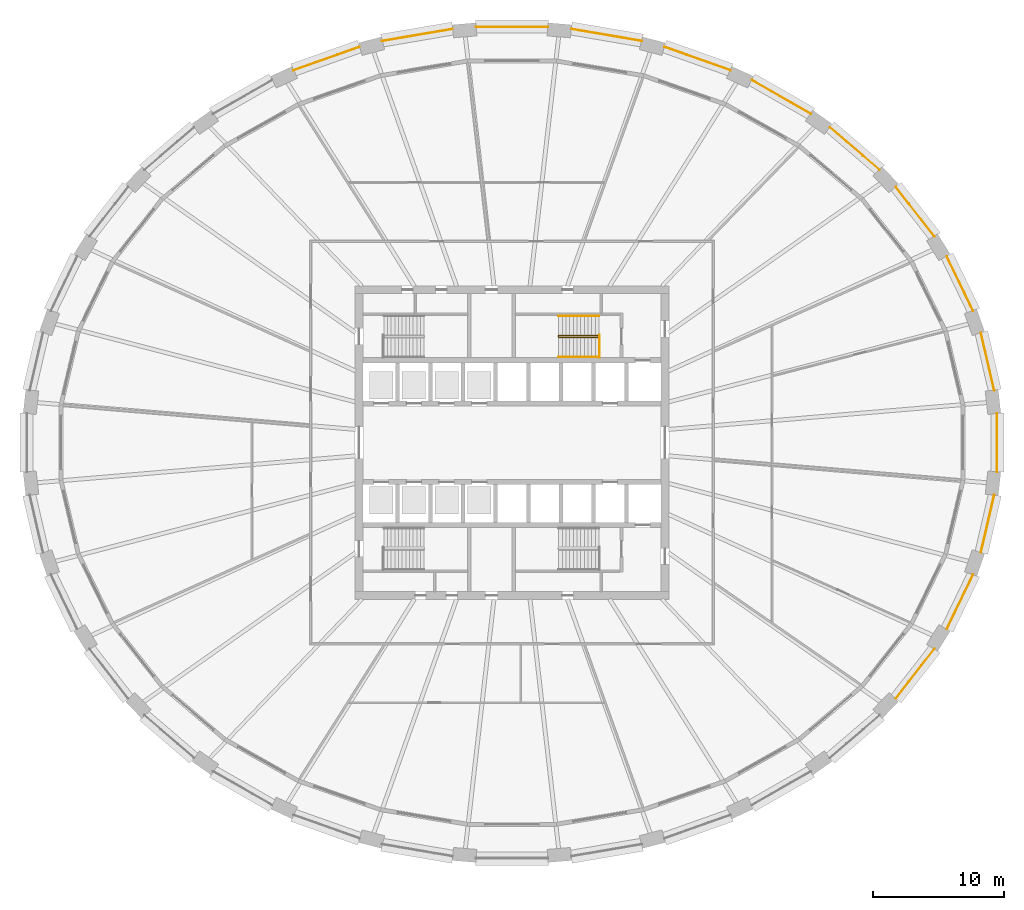
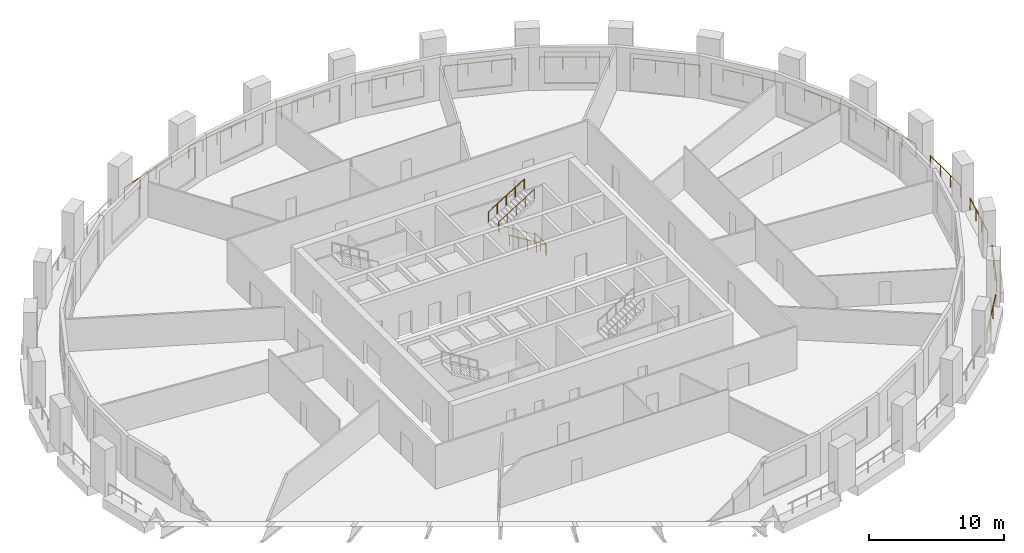
# One storey, part 9 of 10: 18 railings.
"""IFC4 building model written with IfcOpenShell, lengths in metres."""

import ifcopenshell
import ifcopenshell.guid

model = None  # the IFC model being written
_history = None  # IfcOwnerHistory: only IFC2X3 demands one
_inside = {}  # id of a spatial element -> (the spatial element, [elements in it])
_under = {}  # id of a project, library or spatial element -> (it, [spatial elements below it])
_declared = {}  # id of a project -> (the project, [libraries it declares])
_typed = {}  # id of a type object -> (the type object, [elements of that type])
_made_of = {}  # id of a material, layer set ... -> (it, [elements and type objects made of it])


def new_model(schema):
    """Start an empty IFC model of exactly this schema.

    Asked for "IFC4X3", IfcOpenShell would pick the latest addendum, in which some entities
    have other attributes; the version numbers below select the first issue.
    IFC2X3 requires an IfcOwnerHistory on every rooted entity: one is made here for all.
    """
    global model, _history
    if schema == "IFC4X3":
        model = ifcopenshell.file(schema_version=(4, 3, 0, 0))
    else:
        model = ifcopenshell.file(schema=schema)
    _inside.clear()
    _under.clear()
    _declared.clear()
    _typed.clear()
    _made_of.clear()
    _history = None
    if model.schema == "IFC2X3":
        org = make("IfcOrganization", Name="unknown")
        user = make(
            "IfcPersonAndOrganization",
            ThePerson=make("IfcPerson", FamilyName="unknown"),
            TheOrganization=org,
        )
        app = make(
            "IfcApplication",
            ApplicationDeveloper=org,
            Version="unknown",
            ApplicationFullName="unknown",
            ApplicationIdentifier="unknown",
        )
        _history = make(
            "IfcOwnerHistory",
            OwningUser=user,
            OwningApplication=app,
            ChangeAction="ADDED",
            CreationDate=0,
        )
    return model


def make(cls, **values):
    """One entity of the class cls with the attributes given. An attribute that is None is left unset."""
    return model.create_entity(
        cls, **{name: value for name, value in values.items() if value is not None}
    )


def rooted(cls, **values):
    """An entity with a GlobalId (a new one), such as an element, a storey or a relation."""
    return make(cls, GlobalId=ifcopenshell.guid.new(), OwnerHistory=_history, **values)


def si_unit(unit_type, name, prefix=None):
    """IfcSIUnit, for example si_unit("LENGTHUNIT", "METRE", prefix="MILLI")."""
    return make("IfcSIUnit", UnitType=unit_type, Prefix=prefix, Name=name)


def assignment(units):
    """IfcUnitAssignment: the units of a project."""
    return None if units is None else make("IfcUnitAssignment", Units=units)


def point(xyz):
    """IfcCartesianPoint."""
    return None if xyz is None else make("IfcCartesianPoint", Coordinates=xyz)


def direction(xyz):
    """IfcDirection."""
    return None if xyz is None else make("IfcDirection", DirectionRatios=xyz)


def frame(location, z_axis=None, x_axis=None):
    """IfcAxis2Placement3D, a coordinate frame: its origin and axes. An axis left out is left unset."""
    return make(
        "IfcAxis2Placement3D",
        Location=point(location),
        Axis=direction(z_axis),
        RefDirection=direction(x_axis),
    )


def frame_2d(location, x_axis=None):
    """IfcAxis2Placement2D, a coordinate frame in the plane: its origin and x axis."""
    return make(
        "IfcAxis2Placement2D", Location=point(location), RefDirection=direction(x_axis)
    )


def origin():
    """The frame at (0, 0, 0) with its axes left unset."""
    return frame((0.0, 0.0, 0.0))


def origin_2d():
    """The frame at (0, 0) in the plane with its x axis left unset."""
    return frame_2d((0.0, 0.0))


def place(relative_to, where):
    """IfcLocalPlacement: puts the frame where relative to a parent placement (None: the world)."""
    return make(
        "IfcLocalPlacement", PlacementRelTo=relative_to, RelativePlacement=where
    )


def context(
    kind, dimensions, precision=None, world=None, true_north=None, identifier=None
):
    """IfcGeometricRepresentationContext, for example the 3D "Model" context."""
    return make(
        "IfcGeometricRepresentationContext",
        ContextIdentifier=identifier,
        ContextType=kind,
        CoordinateSpaceDimension=dimensions,
        Precision=precision,
        WorldCoordinateSystem=world,
        TrueNorth=true_north,
    )


def subcontext(parent, identifier, kind, view, scale=None):
    """IfcGeometricRepresentationSubContext, for example "Body" below "Model"."""
    return make(
        "IfcGeometricRepresentationSubContext",
        ContextIdentifier=identifier,
        ContextType=kind,
        ParentContext=parent,
        TargetScale=scale,
        TargetView=view,
    )


def project(units=None, contexts=None):
    """IfcProject with its units and contexts."""
    return rooted(
        "IfcProject",
        Name="project",
        RepresentationContexts=contexts,
        UnitsInContext=assignment(units),
    )


def spatial(cls, under=None, at=None, **own):
    """A site, building, storey or space (cls), placed at a placement, below another one or the project."""
    s = rooted(cls, ObjectPlacement=at, **own)
    if under is not None:
        _under.setdefault(under.id(), (under, []))[1].append(s)
    return s


def profile(cls, at=None, kind="AREA", **sizes):
    """A parametric profile (cls). Its sizes go by their IFC names, for example OverallWidth=200.0."""
    return make(cls, ProfileType=kind, Position=at, **sizes)


def circle(**sizes):
    """IfcCircleProfileDef."""
    return profile("IfcCircleProfileDef", **sizes)


def extrude(swept, where, along, depth):
    """IfcExtrudedAreaSolid: the profile swept, set in the frame where, extruded along a direction by depth."""
    return make(
        "IfcExtrudedAreaSolid",
        SweptArea=swept,
        Position=where,
        ExtrudedDirection=direction(along),
        Depth=depth,
    )


def shape(context_of_items, identifier, shape_type, items):
    """IfcShapeRepresentation: the items that make up one representation, for example the "Body"."""
    return make(
        "IfcShapeRepresentation",
        ContextOfItems=context_of_items,
        RepresentationIdentifier=identifier,
        RepresentationType=shape_type,
        Items=items,
    )


def material(Name=None, Category=None):
    """IfcMaterial."""
    return make("IfcMaterial", Name=Name, Category=Category)


def made_of(thing, what):
    """Note that an element or type object is made of a material, layer set ...; save() writes the relation."""
    if what is not None:
        _made_of.setdefault(what.id(), (what, []))[1].append(thing)
    return thing


def type_object(cls, material=None, **own):
    """A type object (cls), such as IfcWallType, which elements share."""
    return made_of(rooted(cls, **own), material)


def element(
    cls,
    number,
    at=None,
    inside=None,
    cuts=None,
    type_object=None,
    material=None,
    context=None,
    identifier="Body",
    shape_type=None,
    held_by="IfcProductDefinitionShape",
    body=None,
    shapes=None,
    **own,
):
    """One element of the class cls, such as IfcWall. Its Tag is "e" and its number.

    at: its placement. inside: the storey or other place that contains it. cuts: it is an
    opening in that element (IfcRelVoidsElement). A single representation is given by context,
    identifier, shape_type and body (its items); several are given by shapes. held_by: the class
    of the entity that holds the representations. save() writes the other relations.
    """
    e = rooted(cls, Tag="e%d" % number, ObjectPlacement=at, **own)
    if body is not None:
        shapes = [shape(context, identifier, shape_type, body)]
    if shapes is not None:
        e.Representation = make(held_by, Representations=shapes)
    if inside is not None:
        _inside.setdefault(inside.id(), (inside, []))[1].append(e)
    if cuts is not None:
        rooted(
            "IfcRelVoidsElement", RelatingBuildingElement=cuts, RelatedOpeningElement=e
        )
    if type_object is not None:
        _typed.setdefault(type_object.id(), (type_object, []))[1].append(e)
    return made_of(e, material)


def aggregate(whole, parts):
    """IfcRelAggregates: a whole, such as a stair, and the parts it consists of."""
    return rooted("IfcRelAggregates", RelatingObject=whole, RelatedObjects=parts)


def save(model, path):
    """Write the relations noted so far, then the file.

    IfcRelAggregates (storeys below a building ...), IfcRelContainedInSpatialStructure (elements
    in a storey), IfcRelDefinesByType, IfcRelAssociatesMaterial and IfcRelDeclares: one each for
    every whole, place, type object, material and project.
    """
    for whole, parts in _under.values():
        aggregate(whole, parts)
    for where, things in _inside.values():
        rooted(
            "IfcRelContainedInSpatialStructure",
            RelatedElements=things,
            RelatingStructure=where,
        )
    for kind, things in _typed.values():
        rooted("IfcRelDefinesByType", RelatedObjects=things, RelatingType=kind)
    for what, things in _made_of.values():
        rooted("IfcRelAssociatesMaterial", RelatedObjects=things, RelatingMaterial=what)
    for by, libraries in _declared.values():
        rooted("IfcRelDeclares", RelatingContext=by, RelatedDefinitions=libraries)
    model.write(path)


model = new_model("IFC4")

# Units and contexts
model_context = context("Model", 3, precision=1e-05, world=origin(), true_north=direction((0.0, 1.0)))
body_context = subcontext(model_context, "Body", "Model", "MODEL_VIEW")
ifc_project = project(units=[si_unit("LENGTHUNIT", "METRE"), si_unit("AREAUNIT", "SQUARE_METRE"), si_unit("VOLUMEUNIT", "CUBIC_METRE"), si_unit("PLANEANGLEUNIT", "RADIAN"), si_unit("MASSUNIT", "GRAM", prefix="KILO")], contexts=[model_context])

# Site, building, storey
site_placement = place(None, origin())
site = spatial("IfcSite", under=ifc_project, at=site_placement, CompositionType="ELEMENT")
building_placement = place(site_placement, origin())
building = spatial("IfcBuilding", under=site, at=building_placement, Name="Halqa Exchange Tower", CompositionType="ELEMENT")
storey_placement = place(building_placement, frame((0.0, 0.0, 57.10009765625)))
storey = spatial("IfcBuildingStorey", under=building, at=storey_placement, Name="L12", CompositionType="ELEMENT", Elevation=57.10009765625)

# Railings
ifc_material = material(Name="Stainless steel", Category="steel")
railing_type_1 = type_object("IfcRailingType", Name="Guard 1100 stainless steel", PredefinedType="GUARDRAIL", material=ifc_material)
railing_1_placement = place(storey_placement, frame((36.88818359375, 4.008056640625, 0.0)))
element("IfcRailing", 1, at=railing_1_placement, inside=storey, type_object=railing_type_1, Name="Loggia guard 1", PredefinedType="GUARDRAIL", context=body_context, shape_type="SweptSolid", body=[
    extrude(circle(Radius=0.02392578125, at=origin_2d()), frame((0.0, 0.0, 1.076171875), z_axis=(-0.226066355165, 0.974111904795, 0.0), x_axis=(-0.974111904795, -0.226066355165, 0.0)), (0.0, 0.0, 1.0), 4.505615234375),
    extrude(circle(Radius=0.02099609375, at=origin_2d()), origin(), (0.0, 0.0, 1.0), 1.052001953125),
    extrude(circle(Radius=0.02099609375, at=origin_2d()), frame((-0.339599609375, 1.462890625, 0.0)), (0.0, 0.0, 1.0), 1.052001953125),
    extrude(circle(Radius=0.02099609375, at=origin_2d()), frame((-0.678955078125, 2.926025390625, 0.0)), (0.0, 0.0, 1.0), 1.052001953125),
    extrude(circle(Radius=0.02099609375, at=origin_2d()), frame((-1.0185546875, 4.388916015625, 0.0)), (0.0, 0.0, 1.0), 1.052001953125),
])
railing_2_placement = place(storey_placement, frame((35.2744140625, 10.083984375, 0.0)))
element("IfcRailing", 2, at=railing_2_placement, inside=storey, type_object=railing_type_1, Name="Loggia guard 2", PredefinedType="GUARDRAIL", context=body_context, shape_type="SweptSolid", body=[
    extrude(circle(Radius=0.02392578125, at=origin_2d()), frame((0.0, 0.0, 1.076171875), z_axis=(-0.435076679412, 0.900393404591, 0.0), x_axis=(-0.900393404591, -0.435076679412, 0.0)), (0.0, 0.0, 1.0), 4.6259765625),
    extrude(circle(Radius=0.02099609375, at=origin_2d()), origin(), (0.0, 0.0, 1.0), 1.052001953125),
    extrude(circle(Radius=0.02099609375, at=origin_2d()), frame((-0.6708984375, 1.388427734375, 0.0)), (0.0, 0.0, 1.0), 1.052001953125),
    extrude(circle(Radius=0.02099609375, at=origin_2d()), frame((-1.341796875, 2.77685546875, 0.0)), (0.0, 0.0, 1.0), 1.052001953125),
    extrude(circle(Radius=0.02099609375, at=origin_2d()), frame((-2.0126953125, 4.165283203125, 0.0)), (0.0, 0.0, 1.0), 1.052001953125),
])
railing_3_placement = place(storey_placement, frame((32.31689453125, 15.769287109375, 0.0)))
element("IfcRailing", 3, at=railing_3_placement, inside=storey, type_object=railing_type_1, Name="Loggia guard 3", PredefinedType="GUARDRAIL", context=body_context, shape_type="SweptSolid", body=[
    extrude(circle(Radius=0.02392578125, at=origin_2d()), frame((0.0, 0.0, 1.076171875), z_axis=(-0.61481305672, 0.788672875968, 0.0), x_axis=(-0.788672875968, -0.61481305672, 0.0)), (0.0, 0.0, 1.0), 4.802490234375),
    extrude(circle(Radius=0.02099609375, at=origin_2d()), origin(), (0.0, 0.0, 1.0), 1.052001953125),
    extrude(circle(Radius=0.02099609375, at=origin_2d()), frame((-0.984130859375, 1.262451171875, 0.0)), (0.0, 0.0, 1.0), 1.052001953125),
    extrude(circle(Radius=0.02099609375, at=origin_2d()), frame((-1.968505859375, 2.525146484375, 0.0)), (0.0, 0.0, 1.0), 1.052001953125),
    extrude(circle(Radius=0.02099609375, at=origin_2d()), frame((-2.95263671875, 3.78759765625, 0.0)), (0.0, 0.0, 1.0), 1.052001953125),
])
railing_4_placement = place(storey_placement, frame((28.12744140625, 20.852294921875, 0.0)))
element("IfcRailing", 4, at=railing_4_placement, inside=storey, type_object=railing_type_1, Name="Loggia guard 4", PredefinedType="GUARDRAIL", context=body_context, shape_type="SweptSolid", body=[
    extrude(circle(Radius=0.02392578125, at=origin_2d()), frame((0.0, 0.0, 1.076171875), z_axis=(-0.759225609307, 0.650827530281, 0.0), x_axis=(-0.650827530281, -0.759225609307, 0.0)), (0.0, 0.0, 1.0), 5.004638671875),
    extrude(circle(Radius=0.02099609375, at=origin_2d()), origin(), (0.0, 0.0, 1.0), 1.052001953125),
    extrude(circle(Radius=0.02099609375, at=origin_2d()), frame((-1.2666015625, 1.085693359375, 0.0)), (0.0, 0.0, 1.0), 1.052001953125),
    extrude(circle(Radius=0.02099609375, at=origin_2d()), frame((-2.532958984375, 2.17138671875, 0.0)), (0.0, 0.0, 1.0), 1.052001953125),
    extrude(circle(Radius=0.02099609375, at=origin_2d()), frame((-3.799560546875, 3.257080078125, 0.0)), (0.0, 0.0, 1.0), 1.052001953125),
])
railing_5_placement = place(storey_placement, frame((22.863525390625, 25.142333984375, 0.0)))
element("IfcRailing", 5, at=railing_5_placement, inside=storey, type_object=railing_type_1, Name="Loggia guard 5", PredefinedType="GUARDRAIL", context=body_context, shape_type="SweptSolid", body=[
    extrude(circle(Radius=0.02392578125, at=origin_2d()), frame((0.0, 0.0, 1.076171875), z_axis=(-0.867766101648, 0.496972829068, 0.0), x_axis=(-0.496972829068, -0.867766101648, 0.0)), (0.0, 0.0, 1.0), 5.200927734375),
    extrude(circle(Radius=0.02099609375, at=origin_2d()), origin(), (0.0, 0.0, 1.0), 1.052001953125),
    extrude(circle(Radius=0.02099609375, at=origin_2d()), frame((-1.50439453125, 0.861572265625, 0.0)), (0.0, 0.0, 1.0), 1.052001953125),
    extrude(circle(Radius=0.02099609375, at=origin_2d()), frame((-3.0087890625, 1.72314453125, 0.0)), (0.0, 0.0, 1.0), 1.052001953125),
    extrude(circle(Radius=0.02099609375, at=origin_2d()), frame((-4.51318359375, 2.584716796875, 0.0)), (0.0, 0.0, 1.0), 1.052001953125),
])
railing_6_placement = place(storey_placement, frame((16.72119140625, 28.4755859375, 0.0)))
element("IfcRailing", 6, at=railing_6_placement, inside=storey, type_object=railing_type_1, Name="Loggia guard 6", PredefinedType="GUARDRAIL", context=body_context, shape_type="SweptSolid", body=[
    extrude(circle(Radius=0.02392578125, at=origin_2d()), frame((0.0, 0.0, 1.076171875), z_axis=(-0.94237775189, 0.334550702799, 0.0), x_axis=(-0.334550702799, -0.94237775189, 0.0)), (0.0, 0.0, 1.0), 5.363037109375),
    extrude(circle(Radius=0.02099609375, at=origin_2d()), origin(), (0.0, 0.0, 1.0), 1.052001953125),
    extrude(circle(Radius=0.02099609375, at=origin_2d()), frame((-1.6845703125, 0.59814453125, 0.0)), (0.0, 0.0, 1.0), 1.052001953125),
    extrude(circle(Radius=0.02099609375, at=origin_2d()), frame((-3.369384765625, 1.196044921875, 0.0)), (0.0, 0.0, 1.0), 1.052001953125),
    extrude(circle(Radius=0.02099609375, at=origin_2d()), frame((-5.053955078125, 1.794189453125, 0.0)), (0.0, 0.0, 1.0), 1.052001953125),
])
railing_7_placement = place(storey_placement, frame((9.931884765625, 30.72216796875, 0.0)))
element("IfcRailing", 7, at=railing_7_placement, inside=storey, type_object=railing_type_1, Name="Loggia guard 7", PredefinedType="GUARDRAIL", context=body_context, shape_type="SweptSolid", body=[
    extrude(circle(Radius=0.02392578125, at=origin_2d()), frame((0.0, 0.0, 1.076171875), z_axis=(-0.985769278309, 0.168103926015, 0.0), x_axis=(-0.168103926015, -0.985769278309, 0.0)), (0.0, 0.0, 1.0), 5.469482421875),
    extrude(circle(Radius=0.02099609375, at=origin_2d()), origin(), (0.0, 0.0, 1.0), 1.052001953125),
    extrude(circle(Radius=0.02099609375, at=origin_2d()), frame((-1.347900390625, 0.22998046875, 0.0)), (0.0, 0.0, 1.0), 1.052001953125),
    extrude(circle(Radius=0.02099609375, at=origin_2d()), frame((-2.69580078125, 0.459716796875, 0.0)), (0.0, 0.0, 1.0), 1.052001953125),
    extrude(circle(Radius=0.02099609375, at=origin_2d()), frame((-4.043701171875, 0.689453125, 0.0)), (0.0, 0.0, 1.0), 1.052001953125),
    extrude(circle(Radius=0.02099609375, at=origin_2d()), frame((-5.3916015625, 0.91943359375, 0.0)), (0.0, 0.0, 1.0), 1.052001953125),
])
railing_8_placement = place(storey_placement, frame((2.753173828125, 31.792724609375, 0.0)))
element("IfcRailing", 8, at=railing_8_placement, inside=storey, type_object=railing_type_1, Name="Loggia guard 8", PredefinedType="GUARDRAIL", context=body_context, shape_type="SweptSolid", body=[
    extrude(circle(Radius=0.02392578125, at=origin_2d()), frame((0.0, 0.0, 1.076171875), z_axis=(-1.0, 0.0, 0.0), x_axis=(0.0, -1.0, 0.0)), (0.0, 0.0, 1.0), 5.50634765625),
    extrude(circle(Radius=0.02099609375, at=origin_2d()), origin(), (0.0, 0.0, 1.0), 1.052001953125),
    extrude(circle(Radius=0.02099609375, at=origin_2d()), frame((-1.37646484375, 0.0, 0.0)), (0.0, 0.0, 1.0), 1.052001953125),
    extrude(circle(Radius=0.02099609375, at=origin_2d()), frame((-2.753173828125, 0.0, 0.0)), (0.0, 0.0, 1.0), 1.052001953125),
    extrude(circle(Radius=0.02099609375, at=origin_2d()), frame((-4.1298828125, 0.0, 0.0)), (0.0, 0.0, 1.0), 1.052001953125),
    extrude(circle(Radius=0.02099609375, at=origin_2d()), frame((-5.50634765625, 0.0, 0.0)), (0.0, 0.0, 1.0), 1.052001953125),
])
railing_9_placement = place(storey_placement, frame((-4.540283203125, 31.6416015625, 0.0)))
element("IfcRailing", 9, at=railing_9_placement, inside=storey, type_object=railing_type_1, Name="Loggia guard 9", PredefinedType="GUARDRAIL", context=body_context, shape_type="SweptSolid", body=[
    extrude(circle(Radius=0.02392578125, at=origin_2d()), frame((0.0, 0.0, 1.076171875), z_axis=(-0.985769278309, -0.168103926015, 0.0), x_axis=(0.168103926015, -0.985769278309, 0.0)), (0.0, 0.0, 1.0), 5.469482421875),
    extrude(circle(Radius=0.02099609375, at=origin_2d()), origin(), (0.0, 0.0, 1.0), 1.052001953125),
    extrude(circle(Radius=0.02099609375, at=origin_2d()), frame((-1.347900390625, -0.22998046875, 0.0)), (0.0, 0.0, 1.0), 1.052001953125),
    extrude(circle(Radius=0.02099609375, at=origin_2d()), frame((-2.69580078125, -0.459716796875, 0.0)), (0.0, 0.0, 1.0), 1.052001953125),
    extrude(circle(Radius=0.02099609375, at=origin_2d()), frame((-4.043701171875, -0.689453125, 0.0)), (0.0, 0.0, 1.0), 1.052001953125),
    extrude(circle(Radius=0.02099609375, at=origin_2d()), frame((-5.3916015625, -0.91943359375, 0.0)), (0.0, 0.0, 1.0), 1.052001953125),
])
railing_10_placement = place(storey_placement, frame((-11.667236328125, 30.269775390625, 0.0)))
element("IfcRailing", 10, at=railing_10_placement, inside=storey, type_object=railing_type_1, Name="Loggia guard 10", PredefinedType="GUARDRAIL", context=body_context, shape_type="SweptSolid", body=[
    extrude(circle(Radius=0.02392578125, at=origin_2d()), frame((0.0, 0.0, 1.076171875), z_axis=(-0.94237775189, -0.334550702799, 0.0), x_axis=(0.334550702799, -0.94237775189, 0.0)), (0.0, 0.0, 1.0), 5.363037109375),
    extrude(circle(Radius=0.02099609375, at=origin_2d()), origin(), (0.0, 0.0, 1.0), 1.052001953125),
    extrude(circle(Radius=0.02099609375, at=origin_2d()), frame((-1.6845703125, -0.59814453125, 0.0)), (0.0, 0.0, 1.0), 1.052001953125),
    extrude(circle(Radius=0.02099609375, at=origin_2d()), frame((-3.369384765625, -1.196044921875, 0.0)), (0.0, 0.0, 1.0), 1.052001953125),
    extrude(circle(Radius=0.02099609375, at=origin_2d()), frame((-5.053955078125, -1.794189453125, 0.0)), (0.0, 0.0, 1.0), 1.052001953125),
])
railing_11_placement = place(storey_placement, frame((29.3642578125, -19.556884765625, 0.0)))
element("IfcRailing", 11, at=railing_11_placement, inside=storey, type_object=railing_type_1, Name="Loggia guard 29", PredefinedType="GUARDRAIL", context=body_context, shape_type="SweptSolid", body=[
    extrude(circle(Radius=0.02392578125, at=origin_2d()), frame((0.0, 0.0, 1.076171875), z_axis=(0.61481305672, 0.788672875968, 0.0), x_axis=(-0.788672875968, 0.61481305672, 0.0)), (0.0, 0.0, 1.0), 4.802490234375),
    extrude(circle(Radius=0.02099609375, at=origin_2d()), origin(), (0.0, 0.0, 1.0), 1.052001953125),
    extrude(circle(Radius=0.02099609375, at=origin_2d()), frame((0.984130859375, 1.262451171875, 0.0)), (0.0, 0.0, 1.0), 1.052001953125),
    extrude(circle(Radius=0.02099609375, at=origin_2d()), frame((1.968505859375, 2.525146484375, 0.0)), (0.0, 0.0, 1.0), 1.052001953125),
    extrude(circle(Radius=0.02099609375, at=origin_2d()), frame((2.95263671875, 3.78759765625, 0.0)), (0.0, 0.0, 1.0), 1.052001953125),
])
railing_12_placement = place(storey_placement, frame((33.26171875, -14.249267578125, 0.0)))
element("IfcRailing", 12, at=railing_12_placement, inside=storey, type_object=railing_type_1, Name="Loggia guard 30", PredefinedType="GUARDRAIL", context=body_context, shape_type="SweptSolid", body=[
    extrude(circle(Radius=0.02392578125, at=origin_2d()), frame((0.0, 0.0, 1.076171875), z_axis=(0.435076679412, 0.900393404591, 0.0), x_axis=(-0.900393404591, 0.435076679412, 0.0)), (0.0, 0.0, 1.0), 4.6259765625),
    extrude(circle(Radius=0.02099609375, at=origin_2d()), origin(), (0.0, 0.0, 1.0), 1.052001953125),
    extrude(circle(Radius=0.02099609375, at=origin_2d()), frame((0.6708984375, 1.388427734375, 0.0)), (0.0, 0.0, 1.0), 1.052001953125),
    extrude(circle(Radius=0.02099609375, at=origin_2d()), frame((1.341796875, 2.77685546875, 0.0)), (0.0, 0.0, 1.0), 1.052001953125),
    extrude(circle(Radius=0.02099609375, at=origin_2d()), frame((2.0126953125, 4.165283203125, 0.0)), (0.0, 0.0, 1.0), 1.052001953125),
])
railing_13_placement = place(storey_placement, frame((35.86962890625, -8.39697265625, 0.0)))
element("IfcRailing", 13, at=railing_13_placement, inside=storey, type_object=railing_type_1, Name="Loggia guard 31", PredefinedType="GUARDRAIL", context=body_context, shape_type="SweptSolid", body=[
    extrude(circle(Radius=0.02392578125, at=origin_2d()), frame((0.0, 0.0, 1.076171875), z_axis=(0.226066355165, 0.974111904795, 0.0), x_axis=(-0.974111904795, 0.226066355165, 0.0)), (0.0, 0.0, 1.0), 4.505615234375),
    extrude(circle(Radius=0.02099609375, at=origin_2d()), origin(), (0.0, 0.0, 1.0), 1.052001953125),
    extrude(circle(Radius=0.02099609375, at=origin_2d()), frame((0.339599609375, 1.462890625, 0.0)), (0.0, 0.0, 1.0), 1.052001953125),
    extrude(circle(Radius=0.02099609375, at=origin_2d()), frame((0.678955078125, 2.926025390625, 0.0)), (0.0, 0.0, 1.0), 1.052001953125),
    extrude(circle(Radius=0.02099609375, at=origin_2d()), frame((1.0185546875, 4.388916015625, 0.0)), (0.0, 0.0, 1.0), 1.052001953125),
])
railing_14_placement = place(storey_placement, frame((37.091552734375, -2.231201171875, 0.0)))
element("IfcRailing", 14, at=railing_14_placement, inside=storey, type_object=railing_type_1, Name="Loggia guard 32", PredefinedType="GUARDRAIL", context=body_context, shape_type="SweptSolid", body=[
    extrude(circle(Radius=0.02392578125, at=origin_2d()), frame((0.0, 0.0, 1.076171875), z_axis=(0.0, 1.0, 0.0), x_axis=(-1.0, 0.0, 0.0)), (0.0, 0.0, 1.0), 4.46240234375),
    extrude(circle(Radius=0.02099609375, at=origin_2d()), origin(), (0.0, 0.0, 1.0), 1.052001953125),
    extrude(circle(Radius=0.02099609375, at=origin_2d()), frame((0.0, 1.487548828125, 0.0)), (0.0, 0.0, 1.0), 1.052001953125),
    extrude(circle(Radius=0.02099609375, at=origin_2d()), frame((0.0, 2.974853515625, 0.0)), (0.0, 0.0, 1.0), 1.052001953125),
    extrude(circle(Radius=0.02099609375, at=origin_2d()), frame((0.0, 4.46240234375, 0.0)), (0.0, 0.0, 1.0), 1.052001953125),
])
railing_type_2 = type_object("IfcRailingType", Name="Stair handrail 900", PredefinedType="HANDRAIL", material=ifc_material)
railing_15_placement = place(storey_placement, frame((6.64990234375, 8.06005859375, 0.1748046875)))
element("IfcRailing", 15, at=railing_15_placement, inside=storey, type_object=railing_type_2, Name="Handrail ST2.1", PredefinedType="HANDRAIL", context=body_context, shape_type="SweptSolid", body=[
    extrude(circle(Radius=0.02392578125, at=origin_2d()), frame((0.0, 0.0, 0.8759765625), z_axis=(-0.847979421464, 0.0, 0.530029150871), x_axis=(0.0, -1.0, 0.0)), (0.0, 0.0, 1.0), 3.632080078125),
    extrude(circle(Radius=0.02392578125, at=origin_2d()), frame((-3.079833984375, 0.0, 2.80078125), z_axis=(0.0, 0.595870227118, 0.803080738428), x_axis=(-1.0, 0.0, 0.0)), (0.0, 0.0, 1.0), 0.218017578125),
    extrude(circle(Radius=0.02392578125, at=origin_2d()), frame((-3.079833984375, 0.1298828125, 2.97607421875), z_axis=(0.847979421464, 0.0, 0.530029150871), x_axis=(0.0, 1.0, 0.0)), (0.0, 0.0, 1.0), 3.632080078125),
    extrude(circle(Radius=0.02099609375, at=origin_2d()), origin(), (0.0, 0.0, 1.0), 0.851806640625),
    extrude(circle(Radius=0.02099609375, at=origin_2d()), frame((-0.77001953125, 0.0, 0.481201171875)), (0.0, 0.0, 1.0), 0.851806640625),
    extrude(circle(Radius=0.02099609375, at=origin_2d()), frame((-1.5400390625, 0.0, 0.96240234375)), (0.0, 0.0, 1.0), 0.851806640625),
    extrude(circle(Radius=0.02099609375, at=origin_2d()), frame((-2.309814453125, 0.0, 1.44384765625)), (0.0, 0.0, 1.0), 0.851806640625),
    extrude(circle(Radius=0.02099609375, at=origin_2d()), frame((-3.079833984375, 0.0, 1.925048828125)), (0.0, 0.0, 1.0), 0.851806640625),
    extrude(circle(Radius=0.02099609375, at=origin_2d()), frame((-3.079833984375, 0.1298828125, 2.10009765625)), (0.0, 0.0, 1.0), 0.851806640625),
    extrude(circle(Radius=0.02099609375, at=origin_2d()), frame((-2.309814453125, 0.1298828125, 2.581298828125)), (0.0, 0.0, 1.0), 0.851806640625),
    extrude(circle(Radius=0.02099609375, at=origin_2d()), frame((-1.5400390625, 0.1298828125, 3.0625)), (0.0, 0.0, 1.0), 0.851806640625),
    extrude(circle(Radius=0.02099609375, at=origin_2d()), frame((-0.77001953125, 0.1298828125, 3.5439453125)), (0.0, 0.0, 1.0), 0.851806640625),
    extrude(circle(Radius=0.02099609375, at=origin_2d()), frame((0.0, 0.1298828125, 4.025146484375)), (0.0, 0.0, 1.0), 0.851806640625),
])
railing_16_placement = place(storey_placement, frame((6.64990234375, 6.550048828125, 0.1748046875)))
element("IfcRailing", 16, at=railing_16_placement, inside=storey, type_object=railing_type_2, Name="Handrail ST2.2", PredefinedType="HANDRAIL", context=body_context, shape_type="SweptSolid", body=[
    extrude(circle(Radius=0.02392578125, at=origin_2d()), frame((0.0, 0.0, 0.8759765625), z_axis=(-0.847979421464, 0.0, 0.530029150871), x_axis=(0.0, -1.0, 0.0)), (0.0, 0.0, 1.0), 3.632080078125),
    extrude(circle(Radius=0.02099609375, at=origin_2d()), origin(), (0.0, 0.0, 1.0), 0.851806640625),
    extrude(circle(Radius=0.02099609375, at=origin_2d()), frame((-0.77001953125, 0.0, 0.481201171875)), (0.0, 0.0, 1.0), 0.851806640625),
    extrude(circle(Radius=0.02099609375, at=origin_2d()), frame((-1.5400390625, 0.0, 0.96240234375)), (0.0, 0.0, 1.0), 0.851806640625),
    extrude(circle(Radius=0.02099609375, at=origin_2d()), frame((-2.309814453125, 0.0, 1.44384765625)), (0.0, 0.0, 1.0), 0.851806640625),
    extrude(circle(Radius=0.02099609375, at=origin_2d()), frame((-3.079833984375, 0.0, 1.925048828125)), (0.0, 0.0, 1.0), 0.851806640625),
])
railing_17_placement = place(storey_placement, frame((3.570068359375, 9.699951171875, 2.27490234375)))
element("IfcRailing", 17, at=railing_17_placement, inside=storey, type_object=railing_type_2, Name="Handrail ST2.3", PredefinedType="HANDRAIL", context=body_context, shape_type="SweptSolid", body=[
    extrude(circle(Radius=0.02392578125, at=origin_2d()), frame((0.0, 0.0, 0.8759765625), z_axis=(0.847979421464, 0.0, 0.530029150871), x_axis=(0.0, 1.0, 0.0)), (0.0, 0.0, 1.0), 3.632080078125),
    extrude(circle(Radius=0.02099609375, at=origin_2d()), origin(), (0.0, 0.0, 1.0), 0.851806640625),
    extrude(circle(Radius=0.02099609375, at=origin_2d()), frame((0.77001953125, 0.0, 0.481201171875)), (0.0, 0.0, 1.0), 0.851806640625),
    extrude(circle(Radius=0.02099609375, at=origin_2d()), frame((1.5400390625, 0.0, 0.96240234375)), (0.0, 0.0, 1.0), 0.851806640625),
    extrude(circle(Radius=0.02099609375, at=origin_2d()), frame((2.309814453125, 0.0, 1.44384765625)), (0.0, 0.0, 1.0), 0.851806640625),
    extrude(circle(Radius=0.02099609375, at=origin_2d()), frame((3.079833984375, 0.0, 1.925048828125)), (0.0, 0.0, 1.0), 0.851806640625),
])
railing_type_3 = type_object("IfcRailingType", Name="Stair well guard 1100", PredefinedType="GUARDRAIL", material=ifc_material)
railing_18_placement = place(storey_placement, frame((6.699951171875, 6.5, 0.0)))
element("IfcRailing", 18, at=railing_18_placement, inside=storey, type_object=railing_type_3, Name="Guard ST2 well", PredefinedType="GUARDRAIL", context=body_context, shape_type="SweptSolid", body=[
    extrude(circle(Radius=0.02392578125, at=origin_2d()), frame((0.0, 0.0, 1.076171875), z_axis=(0.0, 1.0, 0.0), x_axis=(-1.0, 0.0, 0.0)), (0.0, 0.0, 1.0), 1.75),
    extrude(circle(Radius=0.02099609375, at=origin_2d()), origin(), (0.0, 0.0, 1.0), 1.052001953125),
    extrude(circle(Radius=0.02099609375, at=origin_2d()), frame((0.0, 0.875, 0.0)), (0.0, 0.0, 1.0), 1.052001953125),
    extrude(circle(Radius=0.02099609375, at=origin_2d()), frame((0.0, 1.75, 0.0)), (0.0, 0.0, 1.0), 1.052001953125),
])

save(model, "model.ifc")
